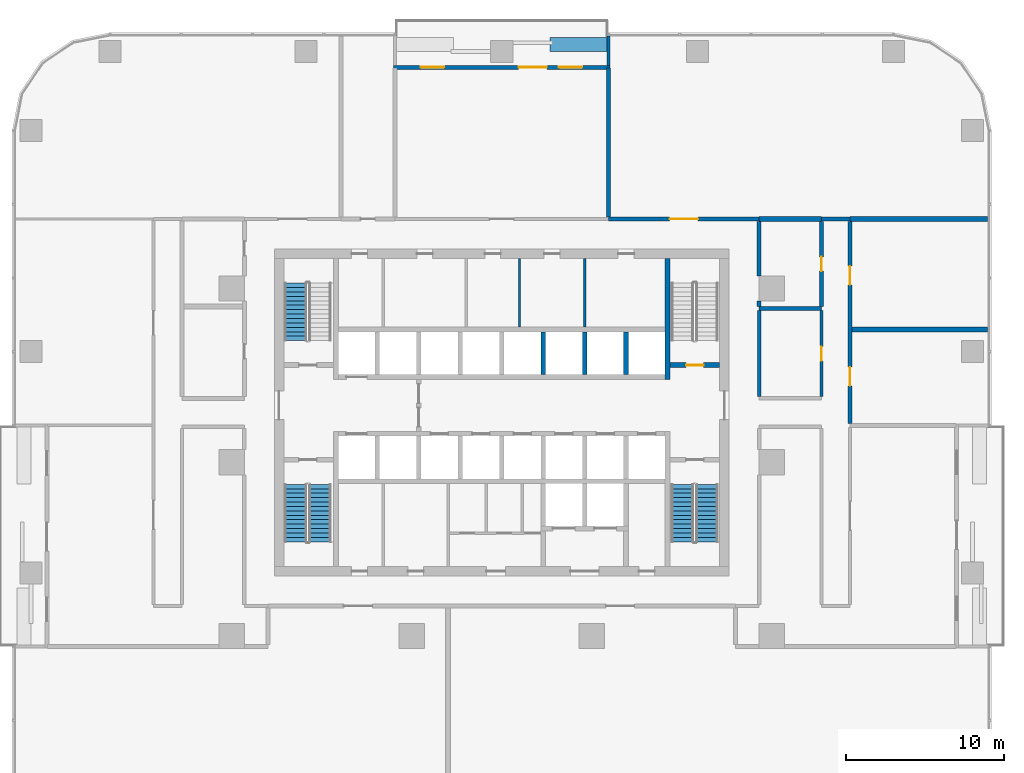
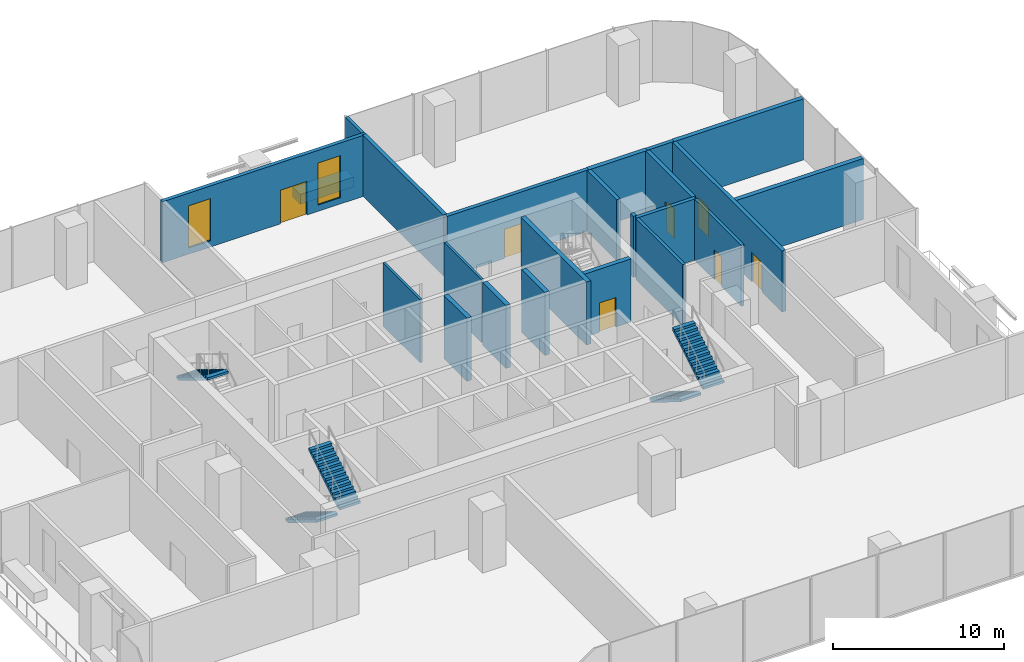
# One storey, part 10 of 14: 23 walls, 7 doors, 5 stair flights, 2 windows, 9 openings, 3 elements without a shape of their own.
"""IFC4 building model written with IfcOpenShell, lengths in metres."""

from ifc_helpers import new_model, si_unit, direction, frame, frame_2d, origin, place, context, subcontext, project, spatial, polyline, rectangle, outline, extrude, material, layer, layer_set, type_object, element, fill, aggregate, save


model = new_model("IFC4")

# Units and contexts
model_context = context("Model", 3, precision=1e-05, world=origin(), true_north=direction((0.0, 1.0)))
body_context = subcontext(model_context, "Body", "Model", "MODEL_VIEW")
ifc_project = project(units=[si_unit("LENGTHUNIT", "METRE"), si_unit("AREAUNIT", "SQUARE_METRE"), si_unit("VOLUMEUNIT", "CUBIC_METRE"), si_unit("PLANEANGLEUNIT", "RADIAN"), si_unit("MASSUNIT", "GRAM", prefix="KILO")], contexts=[model_context])

# Site, building, storey
site_placement = place(None, origin())
site = spatial("IfcSite", under=ifc_project, at=site_placement, CompositionType="ELEMENT")
building_placement = place(site_placement, origin())
building = spatial("IfcBuilding", under=site, at=building_placement, Name="Mopane Tessera Tower", CompositionType="ELEMENT")
storey_placement = place(building_placement, frame((0.0, 0.0, 50.199951171875)))
storey = spatial("IfcBuildingStorey", under=building, at=storey_placement, Name="L09", CompositionType="ELEMENT", Elevation=50.199951171875)

# Walls
ifc_material_1 = material(Name="Fire-rated gypsum board partition")
ifc_layer_1 = layer(ifc_material_1, 0.14990234375)
ifc_layer_set_1 = layer_set([ifc_layer_1], Name="Fire-rated gypsum board partition")
wall_type_1 = type_object("IfcWallType", Name="Core room partition 150 mm", PredefinedType="PARTITIONING", material=ifc_layer_set_1)
for number, where, z_axis, x_axis, name in (
    (1, (1.125, 8.550048828125, 0.0), (0.0, 0.0, 1.0), (0.0, 1.0, 0.0), "L09 Room partition"),
    (2, (5.25, 8.550048828125, 0.0), (0.0, 0.0, 1.0), (0.0, 1.0, 0.0), "L09 Room partition"),
):
    element("IfcWall", number, at=place(storey_placement, frame(where, z_axis=z_axis, x_axis=x_axis)), inside=storey, type_object=wall_type_1, Name=name, PredefinedType="PARTITIONING", context=body_context, shape_type="SweptSolid", body=[
        extrude(rectangle(XDim=4.349853515625, YDim=0.14990234375, at=frame_2d((2.1748046875, 0.0))), origin(), (0.0, 0.0, 1.0), 4.5),
    ])
ifc_material_2 = material(Name="Concrete C60/75", Category="concrete")
ifc_layer_2 = layer(ifc_material_2, 0.300048828125)
ifc_layer_set_2 = layer_set([ifc_layer_2], Name="Concrete C60/75")
wall_type_2 = type_object("IfcWallType", Name="Core spine wall 300 mm", PredefinedType="SHEAR", material=ifc_layer_set_2)
wall_1_placement = place(storey_placement, frame((10.5, 5.25, 0.0), z_axis=(0.0, 0.0, 1.0), x_axis=(0.0, 1.0, 0.0)))
element("IfcWall", 3, at=wall_1_placement, inside=storey, type_object=wall_type_2, Name="L09 Core spine wall", PredefinedType="SHEAR", context=body_context, shape_type="SweptSolid", body=[
    extrude(rectangle(XDim=7.64990234375, YDim=0.300048828125, at=frame_2d((3.824951171875, 0.0))), origin(), (0.0, 0.0, 1.0), 4.5),
])
ifc_material_3 = material(Name="Gypsum board on steel studs, two layers each face, mineral wool infill", Category="steel")
ifc_layer_3 = layer(ifc_material_3, 0.199951171875)
ifc_layer_set_3 = layer_set([ifc_layer_3], Name="Gypsum board on steel studs, two layers each face, mineral wool infill")
wall_type_3 = type_object("IfcWallType", Name="Gypsum board corridor wall 200, rated EI 60", PredefinedType="PARTITIONING", material=ifc_layer_set_3)
wall_2_placement = place(storey_placement, frame((16.300048828125, 4.14990234375, 0.0), z_axis=(0.0, 0.0, 1.0), x_axis=(0.0, 1.0, 0.0)))
element("IfcWall", 4, at=wall_2_placement, inside=storey, type_object=wall_type_3, Name="Partition L09:043", PredefinedType="PARTITIONING", context=body_context, shape_type="SweptSolid", body=[
    extrude(rectangle(XDim=5.4501953125, YDim=0.199951171875, at=frame_2d((2.72509765625, 0.0))), origin(), (0.0, 0.0, 1.0), 4.35009765625),
])

# Wall, opening, door
wall_3_placement = place(storey_placement, frame((20.25, 4.14990234375, 0.0), z_axis=(0.0, 0.0, 1.0), x_axis=(0.0, 1.0, 0.0)))
wall_3 = element("IfcWall", 5, at=wall_3_placement, inside=storey, type_object=wall_type_3, Name="Partition L09:047", PredefinedType="PARTITIONING", context=body_context, shape_type="SweptSolid", body=[
    extrude(rectangle(XDim=5.4501953125, YDim=0.199951171875, at=frame_2d((2.72509765625, 0.0))), origin(), (0.0, 0.0, 1.0), 4.35009765625),
])
opening_1_placement = place(wall_3_placement, frame((2.27490234375, 0.0, 0.0)))
opening_1 = element("IfcOpeningElement", 6, at=opening_1_placement, cuts=wall_3, Name="Opening L09-12", PredefinedType="OPENING", context=body_context, shape_type="SweptSolid", body=[
    extrude(rectangle(XDim=0.89990234375, YDim=2.10009765625, at=frame_2d((0.449951171875, 1.050048828125))), frame((0.0, 0.112060546875, 0.0), z_axis=(0.0, -1.0, 0.0), x_axis=(1.0, 0.0, 0.0)), (0.0, 0.0, 1.0), 0.223876953125),
])
ifc_material_4 = material(Name="Timber veneered steel-framed fire door", Category="steel")
door_type_1 = type_object("IfcDoorType", Name="Fire door FD60 900 x 2100", OperationType="SINGLE_SWING_LEFT", PredefinedType="DOOR", material=ifc_material_4)
door_1_placement = place(opening_1_placement, origin())
door_1 = element("IfcDoor", 7, at=door_1_placement, inside=storey, type_object=door_type_1, Name="Door L09-12", ObjectType="D10A", OperationType="SINGLE_SWING_LEFT", OverallHeight=2.10009765625, OverallWidth=0.89990234375, PredefinedType="DOOR", context=body_context, shape_type="SweptSolid", body=[
    extrude(rectangle(XDim=0.89990234375, YDim=2.10009765625, at=frame_2d((0.449951171875, 1.050048828125))), frame((0.0, 0.02490234375, 0.0), z_axis=(0.0, -1.0, 0.0), x_axis=(1.0, 0.0, 0.0)), (0.0, 0.0, 1.0), 0.050048828125),
])
fill(opening_1, door_1)

ifc_material_5 = material(Name="Concrete C50/60", Category="concrete")
ifc_layer_4 = layer(ifc_material_5, 0.300048828125)
ifc_layer_set_4 = layer_set([ifc_layer_4], Name="Concrete C50/60")
wall_type_4 = type_object("IfcWallType", Name="Lift and stair shaft wall 300 mm", PredefinedType="SOLIDWALL", material=ifc_layer_set_4)
wall_4_placement = place(storey_placement, frame((10.64990234375, 6.14990234375, 0.0), z_axis=(0.0, 0.0, 1.0), x_axis=(1.0, 0.0, 0.0)))
wall_4 = element("IfcWall", 8, at=wall_4_placement, inside=storey, type_object=wall_type_4, Name="L09 Stair enclosure wall", PredefinedType="SOLIDWALL", context=body_context, shape_type="SweptSolid", body=[
    extrude(rectangle(XDim=3.150146484375, YDim=0.300048828125, at=frame_2d((1.5751953125, 0.0))), origin(), (0.0, 0.0, 1.0), 4.5),
])
opening_2_placement = place(wall_4_placement, frame((1.02490234375, 0.0, 0.0)))
opening_2 = element("IfcOpeningElement", 9, at=opening_2_placement, cuts=wall_4, Name="Opening SD1", PredefinedType="OPENING", context=body_context, shape_type="SweptSolid", body=[
    extrude(rectangle(XDim=1.10009765625, YDim=2.10009765625, at=frame_2d((0.550048828125, 1.050048828125))), frame((0.0, 0.162109375, 0.0), z_axis=(0.0, -1.0, 0.0), x_axis=(1.0, 0.0, 0.0)), (0.0, 0.0, 1.0), 0.323974609375),
])
ifc_material_6 = material(Name="Steel fire door", Category="steel")
door_type_2 = type_object("IfcDoorType", Name="Stair fire door 1100 x 2100", OperationType="SINGLE_SWING_LEFT", PredefinedType="DOOR", material=ifc_material_6)
door_2_placement = place(opening_2_placement, origin())
door_2 = element("IfcDoor", 10, at=door_2_placement, inside=storey, type_object=door_type_2, Name="L09 Stair door ST4", OperationType="SINGLE_SWING_RIGHT", OverallHeight=2.10009765625, OverallWidth=1.10009765625, PredefinedType="DOOR", context=body_context, shape_type="SweptSolid", body=[
    extrude(rectangle(XDim=1.10009765625, YDim=2.10009765625, at=frame_2d((0.550048828125, 1.050048828125))), frame((0.0, 0.02490234375, 0.0), z_axis=(0.0, -1.0, 0.0), x_axis=(1.0, 0.0, 0.0)), (0.0, 0.0, 1.0), 0.050048828125),
])
fill(opening_2, door_2)

# Walls
for number, where, z_axis, x_axis, name in (
    (11, (2.625, 5.550048828125, 0.0), (0.0, 0.0, 1.0), (0.0, 1.0, 0.0), "L09 Lift shaft wall"),
    (12, (5.25, 5.550048828125, 0.0), (0.0, 0.0, 1.0), (0.0, 1.0, 0.0), "L09 Lift shaft wall"),
    (13, (7.875, 5.550048828125, 0.0), (0.0, 0.0, 1.0), (0.0, 1.0, 0.0), "L09 Lift shaft wall"),
):
    element("IfcWall", number, at=place(storey_placement, frame(where, z_axis=z_axis, x_axis=x_axis)), inside=storey, type_object=wall_type_4, Name=name, PredefinedType="SOLIDWALL", context=body_context, shape_type="SweptSolid", body=[
        extrude(rectangle(XDim=2.699951171875, YDim=0.300048828125, at=frame_2d((1.35009765625, 0.0))), origin(), (0.0, 0.0, 1.0), 4.5),
    ])
ifc_material_7 = material(Name="Reinforced concrete C32/40 with waterproofing", Category="concrete")
ifc_layer_5 = layer(ifc_material_7, 0.89990234375)
ifc_layer_set_5 = layer_set([ifc_layer_5], Name="Reinforced concrete C32/40 with waterproofing")
wall_type_5 = type_object("IfcWallType", Name="Planter trough 3600 x 900", PredefinedType="STANDARD", material=ifc_layer_set_5)
wall_5_placement = place(storey_placement, frame((6.66357421875, 26.449951171875, 0.0), z_axis=(0.0, 0.0, 1.0), x_axis=(-1.0, 0.0, 0.0)))
element("IfcWall", 14, at=wall_5_placement, inside=storey, type_object=wall_type_5, Name="e:nw:L09:N2:pl0", PredefinedType="STANDARD", context=body_context, shape_type="SweptSolid", body=[
    extrude(rectangle(XDim=3.599853515625, YDim=0.89990234375, at=frame_2d((1.7998046875, 0.0))), origin(), (0.0, 0.0, 1.0), 0.699951171875),
])
ifc_material_8 = material(Name="Plastered concrete blockwork C20/25", Category="masonry")
ifc_layer_6 = layer(ifc_material_8, 0.300048828125)
ifc_layer_set_6 = layer_set([ifc_layer_6], Name="Plastered concrete blockwork C20/25")
wall_type_6 = type_object("IfcWallType", Name="Plastered blockwork separation wall 300, rated EI 120", PredefinedType="PARTITIONING", material=ifc_layer_set_6)
wall_6_placement = place(storey_placement, frame((22.175048828125, 8.39990234375, 0.0), z_axis=(0.0, 0.0, 1.0), x_axis=(1.0, 0.0, 0.0)))
element("IfcWall", 15, at=wall_6_placement, inside=storey, type_object=wall_type_6, Name="Partition L09:015", PredefinedType="PARTITIONING", context=body_context, shape_type="SweptSolid", body=[
    extrude(rectangle(XDim=8.574951171875, YDim=0.300048828125, at=frame_2d((4.28759765625, 0.0))), origin(), (0.0, 0.0, 1.0), 4.35009765625),
])
wall_7_placement = place(storey_placement, frame((16.300048828125, 15.39990234375, 0.0), z_axis=(0.0, 0.0, 1.0), x_axis=(1.0, 0.0, 0.0)))
element("IfcWall", 16, at=wall_7_placement, inside=storey, type_object=wall_type_6, Name="Partition L09:026", PredefinedType="PARTITIONING", context=body_context, shape_type="SweptSolid", body=[
    extrude(rectangle(XDim=3.949951171875, YDim=0.300048828125, at=frame_2d((1.97509765625, 0.0))), origin(), (0.0, 0.0, 1.0), 4.35009765625),
])
wall_8_placement = place(storey_placement, frame((22.050048828125, 15.39990234375, 0.0), z_axis=(0.0, 0.0, 1.0), x_axis=(1.0, 0.0, 0.0)))
element("IfcWall", 17, at=wall_8_placement, inside=storey, type_object=wall_type_6, Name="Partition L09:027", PredefinedType="PARTITIONING", context=body_context, shape_type="SweptSolid", body=[
    extrude(rectangle(XDim=8.699951171875, YDim=0.300048828125, at=frame_2d((4.35009765625, 0.0))), origin(), (0.0, 0.0, 1.0), 4.35009765625),
])
ifc_material_9 = material(Name="Plastered concrete blockwork C20/25", Category="masonry")
ifc_layer_7 = layer(ifc_material_9, 0.25)
ifc_layer_set_7 = layer_set([ifc_layer_7], Name="Plastered concrete blockwork C20/25")
wall_type_7 = type_object("IfcWallType", Name="Plastered blockwork wall 250, rated EI 120", PredefinedType="PARTITIONING", material=ifc_layer_set_7)
wall_9_placement = place(storey_placement, frame((16.300048828125, 9.72509765625, 0.0), z_axis=(0.0, 0.0, 1.0), x_axis=(1.0, 0.0, 0.0)))
element("IfcWall", 18, at=wall_9_placement, inside=storey, type_object=wall_type_7, Name="Partition L09:016", PredefinedType="PARTITIONING", context=body_context, shape_type="SweptSolid", body=[
    extrude(rectangle(XDim=3.949951171875, YDim=0.25, at=frame_2d((1.97509765625, 0.0))), origin(), (0.0, 0.0, 1.0), 4.35009765625),
])

# Wall, opening, door
wall_10_placement = place(storey_placement, frame((6.764892578125, 15.39990234375, 0.0), z_axis=(0.0, 0.0, 1.0), x_axis=(1.0, 0.0, 0.0)))
wall_10 = element("IfcWall", 19, at=wall_10_placement, inside=storey, type_object=wall_type_7, Name="Partition L09:024", PredefinedType="PARTITIONING", context=body_context, shape_type="SweptSolid", body=[
    extrude(rectangle(XDim=9.53515625, YDim=0.25, at=frame_2d((4.767578125, 0.0))), origin(), (0.0, 0.0, 1.0), 4.35009765625),
])
opening_3_placement = place(wall_10_placement, frame((3.867431640625, 0.0, 0.0)))
opening_3 = element("IfcOpeningElement", 20, at=opening_3_placement, cuts=wall_10, Name="Opening L09-10", PredefinedType="OPENING", context=body_context, shape_type="SweptSolid", body=[
    extrude(rectangle(XDim=1.800048828125, YDim=2.10009765625, at=frame_2d((0.89990234375, 1.050048828125))), frame((0.0, 0.136962890625, 0.0), z_axis=(0.0, -1.0, 0.0), x_axis=(1.0, 0.0, 0.0)), (0.0, 0.0, 1.0), 0.27392578125),
])
ifc_material_10 = material(Name="Timber veneered steel-framed fire door", Category="steel")
door_type_3 = type_object("IfcDoorType", Name="Fire door pair FD120 1800 x 2100", OperationType="DOUBLE_DOOR_SINGLE_SWING", PredefinedType="DOOR", material=ifc_material_10)
door_3_placement = place(opening_3_placement, origin())
door_3 = element("IfcDoor", 21, at=door_3_placement, inside=storey, type_object=door_type_3, Name="Door L09-10", ObjectType="D20B", OperationType="DOUBLE_DOOR_SINGLE_SWING", OverallHeight=2.10009765625, OverallWidth=1.800048828125, PredefinedType="DOOR", context=body_context, shape_type="SweptSolid", body=[
    extrude(rectangle(XDim=1.800048828125, YDim=2.10009765625, at=frame_2d((0.89990234375, 1.050048828125))), frame((0.0, 0.02490234375, 0.0), z_axis=(0.0, -1.0, 0.0), x_axis=(1.0, 0.0, 0.0)), (0.0, 0.0, 1.0), 0.050048828125),
])
fill(opening_3, door_3)

# Walls
wall_11_placement = place(storey_placement, frame((20.25, 15.39990234375, 0.0), z_axis=(0.0, 0.0, 1.0), x_axis=(1.0, 0.0, 0.0)))
element("IfcWall", 22, at=wall_11_placement, inside=storey, type_object=wall_type_7, Name="Partition L09:025", PredefinedType="PARTITIONING", context=body_context, shape_type="SweptSolid", body=[
    extrude(rectangle(XDim=1.800048828125, YDim=0.25, at=frame_2d((0.89990234375, 0.0))), origin(), (0.0, 0.0, 1.0), 4.35009765625),
])
wall_12_placement = place(storey_placement, frame((6.764892578125, 15.52490234375, 0.0), z_axis=(0.0, 0.0, 1.0), x_axis=(0.0, 1.0, 0.0)))
element("IfcWall", 23, at=wall_12_placement, inside=storey, type_object=wall_type_7, Name="Partition L09:039", PredefinedType="PARTITIONING", context=body_context, shape_type="SweptSolid", body=[
    extrude(rectangle(XDim=9.425048828125, YDim=0.25, at=frame_2d((4.71240234375, 0.0))), origin(), (0.0, 0.0, 1.0), 4.35009765625),
])
wall_13_placement = place(storey_placement, frame((16.300048828125, 9.85009765625, 0.0), z_axis=(0.0, 0.0, 1.0), x_axis=(0.0, 1.0, 0.0)))
element("IfcWall", 24, at=wall_13_placement, inside=storey, type_object=wall_type_7, Name="Partition L09:044", PredefinedType="PARTITIONING", context=body_context, shape_type="SweptSolid", body=[
    extrude(rectangle(XDim=0.349853515625, YDim=0.25, at=frame_2d((0.1748046875, 0.0))), origin(), (0.0, 0.0, 1.0), 4.35009765625),
])
wall_14_placement = place(storey_placement, frame((16.300048828125, 11.800048828125, 0.0), z_axis=(0.0, 0.0, 1.0), x_axis=(0.0, 1.0, 0.0)))
element("IfcWall", 25, at=wall_14_placement, inside=storey, type_object=wall_type_7, Name="Partition L09:045", PredefinedType="PARTITIONING", context=body_context, shape_type="SweptSolid", body=[
    extrude(rectangle(XDim=3.449951171875, YDim=0.25, at=frame_2d((1.72509765625, 0.0))), origin(), (0.0, 0.0, 1.0), 4.35009765625),
])

# Wall, opening, door
wall_15_placement = place(storey_placement, frame((20.25, 9.85009765625, 0.0), z_axis=(0.0, 0.0, 1.0), x_axis=(0.0, 1.0, 0.0)))
wall_15 = element("IfcWall", 26, at=wall_15_placement, inside=storey, type_object=wall_type_7, Name="Partition L09:048", PredefinedType="PARTITIONING", context=body_context, shape_type="SweptSolid", body=[
    extrude(rectangle(XDim=5.39990234375, YDim=0.25, at=frame_2d((2.699951171875, 0.0))), origin(), (0.0, 0.0, 1.0), 4.35009765625),
])
opening_4_placement = place(wall_15_placement, frame((2.25, 0.0, 0.0)))
opening_4 = element("IfcOpeningElement", 27, at=opening_4_placement, cuts=wall_15, Name="Opening L09-03", PredefinedType="OPENING", context=body_context, shape_type="SweptSolid", body=[
    extrude(rectangle(XDim=0.89990234375, YDim=2.10009765625, at=frame_2d((0.449951171875, 1.050048828125))), frame((0.0, 0.136962890625, 0.0), z_axis=(0.0, -1.0, 0.0), x_axis=(1.0, 0.0, 0.0)), (0.0, 0.0, 1.0), 0.27392578125),
])
ifc_material_11 = material(Name="Timber veneered steel-framed fire door", Category="steel")
door_type_4 = type_object("IfcDoorType", Name="Fire door FD120 900 x 2100", OperationType="SINGLE_SWING_LEFT", PredefinedType="DOOR", material=ifc_material_11)
door_4_placement = place(opening_4_placement, origin())
door_4 = element("IfcDoor", 28, at=door_4_placement, inside=storey, type_object=door_type_4, Name="Door L09-03", ObjectType="D10B", OperationType="SINGLE_SWING_LEFT", OverallHeight=2.10009765625, OverallWidth=0.89990234375, PredefinedType="DOOR", context=body_context, shape_type="SweptSolid", body=[
    extrude(rectangle(XDim=0.89990234375, YDim=2.10009765625, at=frame_2d((0.449951171875, 1.050048828125))), frame((0.0, 0.02490234375, 0.0), z_axis=(0.0, -1.0, 0.0), x_axis=(1.0, 0.0, 0.0)), (0.0, 0.0, 1.0), 0.050048828125),
])
fill(opening_4, door_4)

# Wall, openings, doors
wall_16_placement = place(storey_placement, frame((22.050048828125, 2.4599609375, 0.0), z_axis=(0.0, 0.0, 1.0), x_axis=(0.0, 1.0, 0.0)))
wall_16 = element("IfcWall", 29, at=wall_16_placement, inside=storey, type_object=wall_type_7, Name="Partition L09:050", PredefinedType="PARTITIONING", context=body_context, shape_type="SweptSolid", body=[
    extrude(rectangle(XDim=12.7900390625, YDim=0.25, at=frame_2d((6.39501953125, 0.0))), origin(), (0.0, 0.0, 1.0), 4.35009765625),
])
opening_5_placement = place(wall_16_placement, frame((2.3701171875, 0.0, 0.0)))
opening_5 = element("IfcOpeningElement", 30, at=opening_5_placement, cuts=wall_16, Name="Opening L09-06", PredefinedType="OPENING", context=body_context, shape_type="SweptSolid", body=[
    extrude(rectangle(XDim=1.199951171875, YDim=2.10009765625, at=frame_2d((0.60009765625, 1.050048828125))), frame((0.0, 0.136962890625, 0.0), z_axis=(0.0, -1.0, 0.0), x_axis=(1.0, 0.0, 0.0)), (0.0, 0.0, 1.0), 0.27392578125),
])
opening_6_placement = place(wall_16_placement, frame((8.764892578125, 0.0, 0.0)))
opening_6 = element("IfcOpeningElement", 31, at=opening_6_placement, cuts=wall_16, Name="Opening L09-08", PredefinedType="OPENING", context=body_context, shape_type="SweptSolid", body=[
    extrude(rectangle(XDim=1.199951171875, YDim=2.10009765625, at=frame_2d((0.60009765625, 1.050048828125))), frame((0.0, 0.136962890625, 0.0), z_axis=(0.0, -1.0, 0.0), x_axis=(1.0, 0.0, 0.0)), (0.0, 0.0, 1.0), 0.27392578125),
])
ifc_material_12 = material(Name="Timber veneered steel-framed fire door", Category="steel")
door_type_5 = type_object("IfcDoorType", Name="Fire door FD120 1200 x 2100", OperationType="SINGLE_SWING_LEFT", PredefinedType="DOOR", material=ifc_material_12)
door_5_placement = place(opening_5_placement, origin())
door_5 = element("IfcDoor", 32, at=door_5_placement, inside=storey, type_object=door_type_5, Name="Door L09-06", ObjectType="D15B", OperationType="SINGLE_SWING_LEFT", OverallHeight=2.10009765625, OverallWidth=1.199951171875, PredefinedType="DOOR", context=body_context, shape_type="SweptSolid", body=[
    extrude(rectangle(XDim=1.199951171875, YDim=2.10009765625, at=frame_2d((0.60009765625, 1.050048828125))), frame((0.0, 0.02490234375, 0.0), z_axis=(0.0, -1.0, 0.0), x_axis=(1.0, 0.0, 0.0)), (0.0, 0.0, 1.0), 0.050048828125),
])
fill(opening_5, door_5)
door_6_placement = place(opening_6_placement, origin())
door_6 = element("IfcDoor", 33, at=door_6_placement, inside=storey, type_object=door_type_5, Name="Door L09-08", ObjectType="D15B", OperationType="SINGLE_SWING_LEFT", OverallHeight=2.10009765625, OverallWidth=1.199951171875, PredefinedType="DOOR", context=body_context, shape_type="SweptSolid", body=[
    extrude(rectangle(XDim=1.199951171875, YDim=2.10009765625, at=frame_2d((0.60009765625, 1.050048828125))), frame((0.0, 0.02490234375, 0.0), z_axis=(0.0, -1.0, 0.0), x_axis=(1.0, 0.0, 0.0)), (0.0, 0.0, 1.0), 0.050048828125),
])
fill(opening_6, door_6)

# Wall
ifc_material_13 = material(Name="Blockwork with glazed tile facing", Category="masonry")
ifc_layer_8 = layer(ifc_material_13, 0.199951171875)
ifc_layer_set_8 = layer_set([ifc_layer_8], Name="Blockwork with glazed tile facing")
wall_type_8 = type_object("IfcWallType", Name="Terrace cheek wall 200", PredefinedType="STANDARD", material=ifc_layer_set_8)
wall_17_placement = place(storey_placement, frame((6.763671875, 27.0, 0.0), z_axis=(0.0, 0.0, 1.0), x_axis=(0.0, -1.0, 0.0)))
element("IfcWall", 34, at=wall_17_placement, inside=storey, type_object=wall_type_8, Name="e:nw:L09:N2:cheeka", PredefinedType="STANDARD", context=body_context, shape_type="SweptSolid", body=[
    extrude(rectangle(XDim=1.875, YDim=0.199951171875, at=frame_2d((0.9375, 0.0))), origin(), (0.0, 0.0, 1.0), 4.35009765625),
])

# Wall, openings, windows, door
ifc_material_14 = material(Name="Blockwork with ultramarine glazed tile facing", Category="masonry")
ifc_layer_9 = layer(ifc_material_14, 0.25)
ifc_layer_set_9 = layer_set([ifc_layer_9], Name="Blockwork with ultramarine glazed tile facing")
wall_type_9 = type_object("IfcWallType", Name="Tile-clad external wall 250, ultramarine", PredefinedType="STANDARD", material=ifc_layer_set_9)
wall_18_placement = place(storey_placement, frame((6.863525390625, 25.0, 0.0), z_axis=(0.0, 0.0, 1.0), x_axis=(-1.0, 0.0, 0.0)))
wall_18 = element("IfcWall", 35, at=wall_18_placement, inside=storey, type_object=wall_type_9, Name="e:nw:L09:N2:back", PredefinedType="STANDARD", context=body_context, shape_type="SweptSolid", body=[
    extrude(rectangle(XDim=13.72705078125, YDim=0.25, at=frame_2d((6.863525390625, 0.0))), origin(), (0.0, 0.0, 1.0), 4.35009765625),
])
opening_7_placement = place(wall_18_placement, frame((1.75, 0.0, 0.449951171875)))
opening_7 = element("IfcOpeningElement", 36, at=opening_7_placement, cuts=wall_18, Name="Opening NW092A", PredefinedType="OPENING", context=body_context, shape_type="SweptSolid", body=[
    extrude(rectangle(XDim=1.5, YDim=3.0, at=frame_2d((0.75, 1.5))), frame((0.0, 0.136962890625, 0.0), z_axis=(0.0, -1.0, 0.0), x_axis=(1.0, 0.0, 0.0)), (0.0, 0.0, 1.0), 0.27392578125),
])
opening_8_placement = place(wall_18_placement, frame((4.0, 0.0, 0.0)))
opening_8 = element("IfcOpeningElement", 37, at=opening_8_placement, cuts=wall_18, Name="Opening ND092", PredefinedType="OPENING", context=body_context, shape_type="SweptSolid", body=[
    extrude(rectangle(XDim=1.800048828125, YDim=2.39990234375, at=frame_2d((0.89990234375, 1.199951171875))), frame((0.0, 0.136962890625, 0.0), z_axis=(0.0, -1.0, 0.0), x_axis=(1.0, 0.0, 0.0)), (0.0, 0.0, 1.0), 0.27392578125),
])
opening_9_placement = place(wall_18_placement, frame((10.5, 0.0, 0.449951171875)))
opening_9 = element("IfcOpeningElement", 38, at=opening_9_placement, cuts=wall_18, Name="Opening NW092B", PredefinedType="OPENING", context=body_context, shape_type="SweptSolid", body=[
    extrude(rectangle(XDim=1.5, YDim=3.0, at=frame_2d((0.75, 1.5))), frame((0.0, 0.136962890625, 0.0), z_axis=(0.0, -1.0, 0.0), x_axis=(1.0, 0.0, 0.0)), (0.0, 0.0, 1.0), 0.27392578125),
])
ifc_material_15 = material(Name="Clear laminated glass", Category="glass")
window_type = type_object("IfcWindowType", Name="Fixed window 1500 x 3000", PartitioningType="SINGLE_PANEL", PredefinedType="WINDOW", material=ifc_material_15)
window_1_placement = place(opening_7_placement, origin())
window_1 = element("IfcWindow", 39, at=window_1_placement, inside=storey, type_object=window_type, Name="e:nw:L09:N2:win0", OverallHeight=3.0, OverallWidth=1.5, PartitioningType="SINGLE_PANEL", PredefinedType="WINDOW", context=body_context, shape_type="SweptSolid", body=[
    extrude(rectangle(XDim=1.5, YDim=3.0, at=frame_2d((0.75, 1.5))), frame((0.0, 0.030029296875, 0.0), z_axis=(0.0, -1.0, 0.0), x_axis=(1.0, 0.0, 0.0)), (0.0, 0.0, 1.0), 0.06005859375),
])
fill(opening_7, window_1)
window_2_placement = place(opening_9_placement, origin())
window_2 = element("IfcWindow", 40, at=window_2_placement, inside=storey, type_object=window_type, Name="e:nw:L09:N2:win2", OverallHeight=3.0, OverallWidth=1.5, PartitioningType="SINGLE_PANEL", PredefinedType="WINDOW", context=body_context, shape_type="SweptSolid", body=[
    extrude(rectangle(XDim=1.5, YDim=3.0, at=frame_2d((0.75, 1.5))), frame((0.0, 0.030029296875, 0.0), z_axis=(0.0, -1.0, 0.0), x_axis=(1.0, 0.0, 0.0)), (0.0, 0.0, 1.0), 0.06005859375),
])
fill(opening_9, window_2)
ifc_material_16 = material(Name="Aluminium and clear glass", Category="aluminium")
door_type_6 = type_object("IfcDoorType", Name="Terrace double door 1800 x 2400", OperationType="DOUBLE_DOOR_SINGLE_SWING", PredefinedType="DOOR", material=ifc_material_16)
door_7_placement = place(opening_8_placement, origin())
door_7 = element("IfcDoor", 41, at=door_7_placement, inside=storey, type_object=door_type_6, Name="e:nw:L09:N2:door", ObjectType="D1", OperationType="DOUBLE_DOOR_SINGLE_SWING", OverallHeight=2.39990234375, OverallWidth=1.800048828125, PredefinedType="DOOR", context=body_context, shape_type="SweptSolid", body=[
    extrude(rectangle(XDim=1.800048828125, YDim=2.39990234375, at=frame_2d((0.89990234375, 1.199951171875))), frame((0.0, 0.02490234375, 0.0), z_axis=(0.0, -1.0, 0.0), x_axis=(1.0, 0.0, 0.0)), (0.0, 0.0, 1.0), 0.050048828125),
])
fill(opening_8, door_7)

# Stair, stair flights
ifc_material_17 = material(Name="Concrete C50/60", Category="concrete")
stair_type = type_object("IfcStairType", Name="Escape stair 1400 mm, riser 171 mm", PredefinedType="HALF_TURN_STAIR", material=ifc_material_17)
stair_1_placement = place(storey_placement, origin())
stair_1 = element("IfcStair", 42, at=stair_1_placement, inside=storey, type_object=stair_type, Name="L09 Escape stair south-west", PredefinedType="HALF_TURN_STAIR")
ifc_material_18 = material(Name="Concrete C50/60", Category="concrete")
stair_flight_type = type_object("IfcStairFlightType", Name="Escape stair flight 1400 mm", PredefinedType="STRAIGHT", material=ifc_material_18)
stair_flight_1_placement = place(storey_placement, frame((-13.050048828125, -1.39990234375, 0.0), z_axis=(0.0, 0.0, 1.0), x_axis=(0.0, -1.0, 0.0)))
stair_flight_1 = element("IfcStairFlight", 43, at=stair_flight_1_placement, type_object=stair_flight_type, Name="ST1 flight 1", NumberOfRisers=14, NumberOfTreads=13, PredefinedType="STRAIGHT", RiserHeight=0.171428571, TreadLength=0.28, context=body_context, shape_type="SweptSolid", body=[
    extrude(outline(polyline([(0.0, 0.0), (0.0, 0.17138671875), (0.280029296875, 0.17138671875), (0.280029296875, 0.3427734375), (0.56005859375, 0.3427734375), (0.56005859375, 0.514404296875), (0.840087890625, 0.514404296875), (0.840087890625, 0.685791015625), (1.1201171875, 0.685791015625), (1.1201171875, 0.857177734375), (1.39990234375, 0.857177734375), (1.39990234375, 1.028564453125), (1.679931640625, 1.028564453125), (1.679931640625, 1.199951171875), (1.9599609375, 1.199951171875), (1.9599609375, 1.371337890625), (2.239990234375, 1.371337890625), (2.239990234375, 1.54296875), (2.52001953125, 1.54296875), (2.52001953125, 1.71435546875), (2.800048828125, 1.71435546875), (2.800048828125, 1.8857421875), (3.080078125, 1.8857421875), (3.080078125, 2.05712890625), (3.360107421875, 2.05712890625), (3.360107421875, 2.228515625), (3.639892578125, 2.228515625), (3.639892578125, 2.39990234375), (3.639892578125, 2.052734375), (0.287109375, 0.0), (0.0, 0.0)])), frame((0.0, 0.699951171875, 0.0), z_axis=(0.0, -1.0, 0.0), x_axis=(1.0, 0.0, 0.0)), (0.0, 0.0, 1.0), 1.39990234375),
])
stair_flight_2_placement = place(storey_placement, frame((-11.5, -5.0400390625, 2.400146484375), z_axis=(0.0, 0.0, 1.0), x_axis=(0.0, 1.0, 0.0)))
stair_flight_2 = element("IfcStairFlight", 44, at=stair_flight_2_placement, type_object=stair_flight_type, Name="ST1 flight 2", NumberOfRisers=14, NumberOfTreads=13, PredefinedType="STRAIGHT", RiserHeight=0.171428571, TreadLength=0.28, context=body_context, shape_type="SweptSolid", body=[
    extrude(outline(polyline([(0.0, 0.0), (0.0, 0.17138671875), (0.280029296875, 0.17138671875), (0.280029296875, 0.3427734375), (0.56005859375, 0.3427734375), (0.56005859375, 0.514404296875), (0.840087890625, 0.514404296875), (0.840087890625, 0.685791015625), (1.1201171875, 0.685791015625), (1.1201171875, 0.857177734375), (1.39990234375, 0.857177734375), (1.39990234375, 1.028564453125), (1.679931640625, 1.028564453125), (1.679931640625, 1.199951171875), (1.9599609375, 1.199951171875), (1.9599609375, 1.371337890625), (2.239990234375, 1.371337890625), (2.239990234375, 1.54296875), (2.52001953125, 1.54296875), (2.52001953125, 1.71435546875), (2.800048828125, 1.71435546875), (2.800048828125, 1.8857421875), (3.080078125, 1.8857421875), (3.080078125, 2.05712890625), (3.360107421875, 2.05712890625), (3.360107421875, 2.228515625), (3.639892578125, 2.228515625), (3.639892578125, 2.39990234375), (3.639892578125, 2.052734375), (0.287109375, 0.0), (0.0, 0.0)])), frame((0.0, 0.699951171875, 0.0), z_axis=(0.0, -1.0, 0.0), x_axis=(1.0, 0.0, 0.0)), (0.0, 0.0, 1.0), 1.39990234375),
])
aggregate(stair_1, [stair_flight_1, stair_flight_2])

# Stair, stair flight
stair_2_placement = place(storey_placement, origin())
stair_2 = element("IfcStair", 45, at=stair_2_placement, inside=storey, type_object=stair_type, Name="L09 Escape stair north-west", PredefinedType="HALF_TURN_STAIR")
stair_flight_3_placement = place(storey_placement, frame((-13.050048828125, 11.340087890625, 2.400146484375), z_axis=(0.0, 0.0, 1.0), x_axis=(0.0, -1.0, 0.0)))
stair_flight_3 = element("IfcStairFlight", 46, at=stair_flight_3_placement, type_object=stair_flight_type, Name="ST2 flight 2", NumberOfRisers=14, NumberOfTreads=13, PredefinedType="STRAIGHT", RiserHeight=0.171428571, TreadLength=0.28, context=body_context, shape_type="SweptSolid", body=[
    extrude(outline(polyline([(0.0, 0.0), (0.0, 0.17138671875), (0.280029296875, 0.17138671875), (0.280029296875, 0.3427734375), (0.56005859375, 0.3427734375), (0.56005859375, 0.514404296875), (0.840087890625, 0.514404296875), (0.840087890625, 0.685791015625), (1.1201171875, 0.685791015625), (1.1201171875, 0.857177734375), (1.39990234375, 0.857177734375), (1.39990234375, 1.028564453125), (1.679931640625, 1.028564453125), (1.679931640625, 1.199951171875), (1.9599609375, 1.199951171875), (1.9599609375, 1.371337890625), (2.239990234375, 1.371337890625), (2.239990234375, 1.54296875), (2.52001953125, 1.54296875), (2.52001953125, 1.71435546875), (2.800048828125, 1.71435546875), (2.800048828125, 1.8857421875), (3.080078125, 1.8857421875), (3.080078125, 2.05712890625), (3.360107421875, 2.05712890625), (3.360107421875, 2.228515625), (3.639892578125, 2.228515625), (3.639892578125, 2.39990234375), (3.639892578125, 2.052734375), (0.287109375, 0.0), (0.0, 0.0)])), frame((0.0, 0.699951171875, 0.0), z_axis=(0.0, -1.0, 0.0), x_axis=(1.0, 0.0, 0.0)), (0.0, 0.0, 1.0), 1.39990234375),
])
aggregate(stair_2, [stair_flight_3])

# Stair, stair flights
stair_3_placement = place(storey_placement, origin())
stair_3 = element("IfcStair", 47, at=stair_3_placement, inside=storey, type_object=stair_type, Name="L09 Escape stair south-east", PredefinedType="HALF_TURN_STAIR")
stair_flight_4_placement = place(storey_placement, frame((11.449951171875, -1.39990234375, 0.0), z_axis=(0.0, 0.0, 1.0), x_axis=(0.0, -1.0, 0.0)))
stair_flight_4 = element("IfcStairFlight", 48, at=stair_flight_4_placement, type_object=stair_flight_type, Name="ST3 flight 1", NumberOfRisers=14, NumberOfTreads=13, PredefinedType="STRAIGHT", RiserHeight=0.171428571, TreadLength=0.28, context=body_context, shape_type="SweptSolid", body=[
    extrude(outline(polyline([(0.0, 0.0), (0.0, 0.17138671875), (0.280029296875, 0.17138671875), (0.280029296875, 0.3427734375), (0.56005859375, 0.3427734375), (0.56005859375, 0.514404296875), (0.840087890625, 0.514404296875), (0.840087890625, 0.685791015625), (1.1201171875, 0.685791015625), (1.1201171875, 0.857177734375), (1.39990234375, 0.857177734375), (1.39990234375, 1.028564453125), (1.679931640625, 1.028564453125), (1.679931640625, 1.199951171875), (1.9599609375, 1.199951171875), (1.9599609375, 1.371337890625), (2.239990234375, 1.371337890625), (2.239990234375, 1.54296875), (2.52001953125, 1.54296875), (2.52001953125, 1.71435546875), (2.800048828125, 1.71435546875), (2.800048828125, 1.8857421875), (3.080078125, 1.8857421875), (3.080078125, 2.05712890625), (3.360107421875, 2.05712890625), (3.360107421875, 2.228515625), (3.639892578125, 2.228515625), (3.639892578125, 2.39990234375), (3.639892578125, 2.052734375), (0.287109375, 0.0), (0.0, 0.0)])), frame((0.0, 0.699951171875, 0.0), z_axis=(0.0, -1.0, 0.0), x_axis=(1.0, 0.0, 0.0)), (0.0, 0.0, 1.0), 1.39990234375),
])
stair_flight_5_placement = place(storey_placement, frame((13.0, -5.0400390625, 2.400146484375), z_axis=(0.0, 0.0, 1.0), x_axis=(0.0, 1.0, 0.0)))
stair_flight_5 = element("IfcStairFlight", 49, at=stair_flight_5_placement, type_object=stair_flight_type, Name="ST3 flight 2", NumberOfRisers=14, NumberOfTreads=13, PredefinedType="STRAIGHT", RiserHeight=0.171428571, TreadLength=0.28, context=body_context, shape_type="SweptSolid", body=[
    extrude(outline(polyline([(0.0, 0.0), (0.0, 0.17138671875), (0.280029296875, 0.17138671875), (0.280029296875, 0.3427734375), (0.56005859375, 0.3427734375), (0.56005859375, 0.514404296875), (0.840087890625, 0.514404296875), (0.840087890625, 0.685791015625), (1.1201171875, 0.685791015625), (1.1201171875, 0.857177734375), (1.39990234375, 0.857177734375), (1.39990234375, 1.028564453125), (1.679931640625, 1.028564453125), (1.679931640625, 1.199951171875), (1.9599609375, 1.199951171875), (1.9599609375, 1.371337890625), (2.239990234375, 1.371337890625), (2.239990234375, 1.54296875), (2.52001953125, 1.54296875), (2.52001953125, 1.71435546875), (2.800048828125, 1.71435546875), (2.800048828125, 1.8857421875), (3.080078125, 1.8857421875), (3.080078125, 2.05712890625), (3.360107421875, 2.05712890625), (3.360107421875, 2.228515625), (3.639892578125, 2.228515625), (3.639892578125, 2.39990234375), (3.639892578125, 2.052734375), (0.287109375, 0.0), (0.0, 0.0)])), frame((0.0, 0.699951171875, 0.0), z_axis=(0.0, -1.0, 0.0), x_axis=(1.0, 0.0, 0.0)), (0.0, 0.0, 1.0), 1.39990234375),
])
aggregate(stair_3, [stair_flight_4, stair_flight_5])

save(model, "model.ifc")
